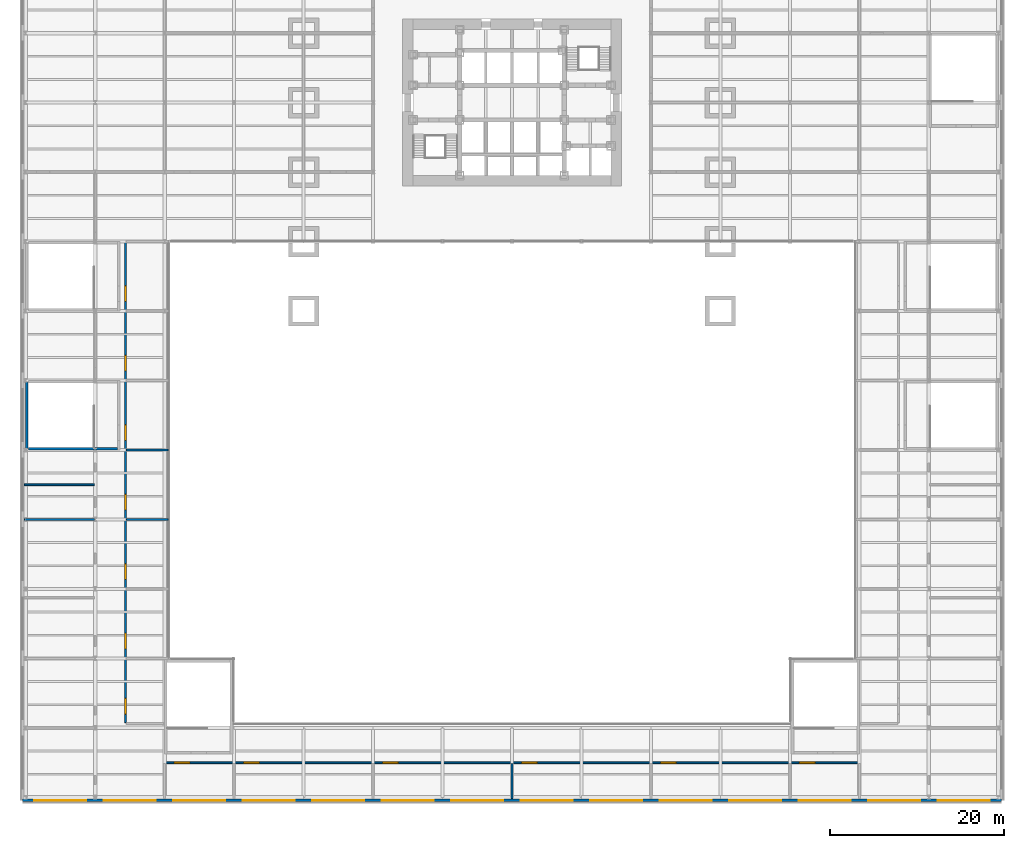
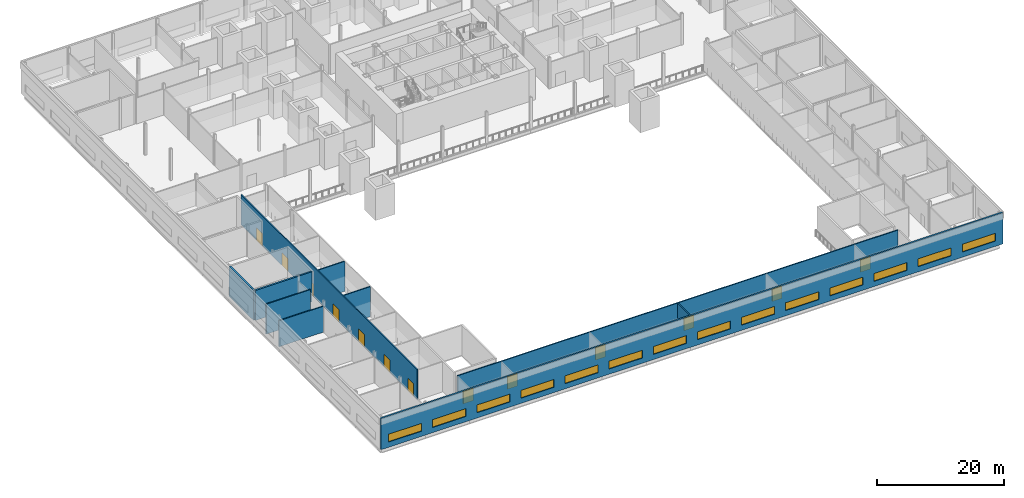
# One storey, part 11 of 21: 14 windows, 13 doors, 10 walls, 27 openings.
"""IFC4 building model written with IfcOpenShell, lengths in metres."""

import ifcopenshell
import ifcopenshell.guid

model = None  # the IFC model being written
_history = None  # IfcOwnerHistory: only IFC2X3 demands one
_inside = {}  # id of a spatial element -> (the spatial element, [elements in it])
_under = {}  # id of a project, library or spatial element -> (it, [spatial elements below it])
_declared = {}  # id of a project -> (the project, [libraries it declares])
_typed = {}  # id of a type object -> (the type object, [elements of that type])
_made_of = {}  # id of a material, layer set ... -> (it, [elements and type objects made of it])


def new_model(schema):
    """Start an empty IFC model of exactly this schema.

    Asked for "IFC4X3", IfcOpenShell would pick the latest addendum, in which some entities
    have other attributes; the version numbers below select the first issue.
    IFC2X3 requires an IfcOwnerHistory on every rooted entity: one is made here for all.
    """
    global model, _history
    if schema == "IFC4X3":
        model = ifcopenshell.file(schema_version=(4, 3, 0, 0))
    else:
        model = ifcopenshell.file(schema=schema)
    _inside.clear()
    _under.clear()
    _declared.clear()
    _typed.clear()
    _made_of.clear()
    _history = None
    if model.schema == "IFC2X3":
        org = make("IfcOrganization", Name="unknown")
        user = make(
            "IfcPersonAndOrganization",
            ThePerson=make("IfcPerson", FamilyName="unknown"),
            TheOrganization=org,
        )
        app = make(
            "IfcApplication",
            ApplicationDeveloper=org,
            Version="unknown",
            ApplicationFullName="unknown",
            ApplicationIdentifier="unknown",
        )
        _history = make(
            "IfcOwnerHistory",
            OwningUser=user,
            OwningApplication=app,
            ChangeAction="ADDED",
            CreationDate=0,
        )
    return model


def make(cls, **values):
    """One entity of the class cls with the attributes given. An attribute that is None is left unset."""
    return model.create_entity(
        cls, **{name: value for name, value in values.items() if value is not None}
    )


def rooted(cls, **values):
    """An entity with a GlobalId (a new one), such as an element, a storey or a relation."""
    return make(cls, GlobalId=ifcopenshell.guid.new(), OwnerHistory=_history, **values)


def si_unit(unit_type, name, prefix=None):
    """IfcSIUnit, for example si_unit("LENGTHUNIT", "METRE", prefix="MILLI")."""
    return make("IfcSIUnit", UnitType=unit_type, Prefix=prefix, Name=name)


def assignment(units):
    """IfcUnitAssignment: the units of a project."""
    return None if units is None else make("IfcUnitAssignment", Units=units)


def point(xyz):
    """IfcCartesianPoint."""
    return None if xyz is None else make("IfcCartesianPoint", Coordinates=xyz)


def direction(xyz):
    """IfcDirection."""
    return None if xyz is None else make("IfcDirection", DirectionRatios=xyz)


def frame(location, z_axis=None, x_axis=None):
    """IfcAxis2Placement3D, a coordinate frame: its origin and axes. An axis left out is left unset."""
    return make(
        "IfcAxis2Placement3D",
        Location=point(location),
        Axis=direction(z_axis),
        RefDirection=direction(x_axis),
    )


def frame_2d(location, x_axis=None):
    """IfcAxis2Placement2D, a coordinate frame in the plane: its origin and x axis."""
    return make(
        "IfcAxis2Placement2D", Location=point(location), RefDirection=direction(x_axis)
    )


def origin():
    """The frame at (0, 0, 0) with its axes left unset."""
    return frame((0.0, 0.0, 0.0))


def place(relative_to, where):
    """IfcLocalPlacement: puts the frame where relative to a parent placement (None: the world)."""
    return make(
        "IfcLocalPlacement", PlacementRelTo=relative_to, RelativePlacement=where
    )


def context(
    kind, dimensions, precision=None, world=None, true_north=None, identifier=None
):
    """IfcGeometricRepresentationContext, for example the 3D "Model" context."""
    return make(
        "IfcGeometricRepresentationContext",
        ContextIdentifier=identifier,
        ContextType=kind,
        CoordinateSpaceDimension=dimensions,
        Precision=precision,
        WorldCoordinateSystem=world,
        TrueNorth=true_north,
    )


def subcontext(parent, identifier, kind, view, scale=None):
    """IfcGeometricRepresentationSubContext, for example "Body" below "Model"."""
    return make(
        "IfcGeometricRepresentationSubContext",
        ContextIdentifier=identifier,
        ContextType=kind,
        ParentContext=parent,
        TargetScale=scale,
        TargetView=view,
    )


def project(units=None, contexts=None):
    """IfcProject with its units and contexts."""
    return rooted(
        "IfcProject",
        Name="project",
        RepresentationContexts=contexts,
        UnitsInContext=assignment(units),
    )


def spatial(cls, under=None, at=None, **own):
    """A site, building, storey or space (cls), placed at a placement, below another one or the project."""
    s = rooted(cls, ObjectPlacement=at, **own)
    if under is not None:
        _under.setdefault(under.id(), (under, []))[1].append(s)
    return s


def profile(cls, at=None, kind="AREA", **sizes):
    """A parametric profile (cls). Its sizes go by their IFC names, for example OverallWidth=200.0."""
    return make(cls, ProfileType=kind, Position=at, **sizes)


def rectangle(**sizes):
    """IfcRectangleProfileDef."""
    return profile("IfcRectangleProfileDef", **sizes)


def extrude(swept, where, along, depth):
    """IfcExtrudedAreaSolid: the profile swept, set in the frame where, extruded along a direction by depth."""
    return make(
        "IfcExtrudedAreaSolid",
        SweptArea=swept,
        Position=where,
        ExtrudedDirection=direction(along),
        Depth=depth,
    )


def shape(context_of_items, identifier, shape_type, items):
    """IfcShapeRepresentation: the items that make up one representation, for example the "Body"."""
    return make(
        "IfcShapeRepresentation",
        ContextOfItems=context_of_items,
        RepresentationIdentifier=identifier,
        RepresentationType=shape_type,
        Items=items,
    )


def material(Name=None, Category=None):
    """IfcMaterial."""
    return make("IfcMaterial", Name=Name, Category=Category)


def layer(
    of_material, thickness, ventilated=None, Name=None, Category=None, Priority=None
):
    """IfcMaterialLayer: one layer of a wall or slab, of a material (None: an air gap)."""
    return make(
        "IfcMaterialLayer",
        Material=of_material,
        LayerThickness=thickness,
        IsVentilated=ventilated,
        Name=Name,
        Category=Category,
        Priority=Priority,
    )


def layer_set(layers, Name=None):
    """IfcMaterialLayerSet."""
    return make("IfcMaterialLayerSet", MaterialLayers=layers, LayerSetName=Name)


def made_of(thing, what):
    """Note that an element or type object is made of a material, layer set ...; save() writes the relation."""
    if what is not None:
        _made_of.setdefault(what.id(), (what, []))[1].append(thing)
    return thing


def type_object(cls, material=None, **own):
    """A type object (cls), such as IfcWallType, which elements share."""
    return made_of(rooted(cls, **own), material)


def element(
    cls,
    number,
    at=None,
    inside=None,
    cuts=None,
    type_object=None,
    material=None,
    context=None,
    identifier="Body",
    shape_type=None,
    held_by="IfcProductDefinitionShape",
    body=None,
    shapes=None,
    **own,
):
    """One element of the class cls, such as IfcWall. Its Tag is "e" and its number.

    at: its placement. inside: the storey or other place that contains it. cuts: it is an
    opening in that element (IfcRelVoidsElement). A single representation is given by context,
    identifier, shape_type and body (its items); several are given by shapes. held_by: the class
    of the entity that holds the representations. save() writes the other relations.
    """
    e = rooted(cls, Tag="e%d" % number, ObjectPlacement=at, **own)
    if body is not None:
        shapes = [shape(context, identifier, shape_type, body)]
    if shapes is not None:
        e.Representation = make(held_by, Representations=shapes)
    if inside is not None:
        _inside.setdefault(inside.id(), (inside, []))[1].append(e)
    if cuts is not None:
        rooted(
            "IfcRelVoidsElement", RelatingBuildingElement=cuts, RelatedOpeningElement=e
        )
    if type_object is not None:
        _typed.setdefault(type_object.id(), (type_object, []))[1].append(e)
    return made_of(e, material)


def fill(opening, filler):
    """IfcRelFillsElement: the door or window that sits in an opening."""
    return rooted(
        "IfcRelFillsElement",
        RelatingOpeningElement=opening,
        RelatedBuildingElement=filler,
    )


def aggregate(whole, parts):
    """IfcRelAggregates: a whole, such as a stair, and the parts it consists of."""
    return rooted("IfcRelAggregates", RelatingObject=whole, RelatedObjects=parts)


def save(model, path):
    """Write the relations noted so far, then the file.

    IfcRelAggregates (storeys below a building ...), IfcRelContainedInSpatialStructure (elements
    in a storey), IfcRelDefinesByType, IfcRelAssociatesMaterial and IfcRelDeclares: one each for
    every whole, place, type object, material and project.
    """
    for whole, parts in _under.values():
        aggregate(whole, parts)
    for where, things in _inside.values():
        rooted(
            "IfcRelContainedInSpatialStructure",
            RelatedElements=things,
            RelatingStructure=where,
        )
    for kind, things in _typed.values():
        rooted("IfcRelDefinesByType", RelatedObjects=things, RelatingType=kind)
    for what, things in _made_of.values():
        rooted("IfcRelAssociatesMaterial", RelatedObjects=things, RelatingMaterial=what)
    for by, libraries in _declared.values():
        rooted("IfcRelDeclares", RelatingContext=by, RelatedDefinitions=libraries)
    model.write(path)


model = new_model("IFC4")

# Units and contexts
model_context = context("Model", 3, precision=1e-05, world=origin(), true_north=direction((0.0, 1.0)))
body_context = subcontext(model_context, "Body", "Model", "MODEL_VIEW")
ifc_project = project(units=[si_unit("LENGTHUNIT", "METRE"), si_unit("AREAUNIT", "SQUARE_METRE"), si_unit("VOLUMEUNIT", "CUBIC_METRE"), si_unit("PLANEANGLEUNIT", "RADIAN"), si_unit("MASSUNIT", "GRAM", prefix="KILO")], contexts=[model_context])

# Site, building, storey
site_placement = place(None, origin())
site = spatial("IfcSite", under=ifc_project, at=site_placement, CompositionType="ELEMENT")
building_placement = place(site_placement, origin())
building = spatial("IfcBuilding", under=site, at=building_placement, Name="Daluyong Arena Tower", CompositionType="ELEMENT")
storey_placement = place(building_placement, frame((0.0, 0.0, 19.89990234375)))
storey = spatial("IfcBuildingStorey", under=building, at=storey_placement, Name="L04", CompositionType="ELEMENT", Elevation=19.89990234375)

# Wall, openings, doors
ifc_material_1 = material(Name="Concrete block partition", Category="concrete")
ifc_layer_1 = layer(ifc_material_1, 0.199951171875)
ifc_layer_set_1 = layer_set([ifc_layer_1], Name="Concrete block partition")
wall_type_1 = type_object("IfcWallType", Name="Partition 200", PredefinedType="PARTITIONING", material=ifc_layer_set_1)
wall_1_placement = place(storey_placement, frame((16.10009765625, 4.0, 0.0), z_axis=(0.0, 0.0, 1.0), x_axis=(1.0, 0.0, 0.0)))
wall_1 = element("IfcWall", 1, at=wall_1_placement, inside=storey, type_object=wall_type_1, Name="partition at L04", PredefinedType="PARTITIONING", context=body_context, shape_type="SweptSolid", body=[
    extrude(rectangle(XDim=79.7998046875, YDim=0.199951171875, at=frame_2d((39.89990234375, 0.0))), origin(), (0.0, 0.0, 1.0), 5.75),
])
opening_1_placement = place(wall_1_placement, frame((1.0, 0.0, 0.0)))
opening_1 = element("IfcOpeningElement", 2, at=opening_1_placement, cuts=wall_1, Name="Opening 04037", PredefinedType="OPENING", context=body_context, shape_type="SweptSolid", body=[
    extrude(rectangle(XDim=1.800048828125, YDim=2.39990234375, at=frame_2d((0.89990234375, 1.199951171875))), frame((0.0, 0.10986328125, 0.0), z_axis=(0.0, -1.0, 0.0), x_axis=(1.0, 0.0, 0.0)), (0.0, 0.0, 1.0), 0.219970703125),
])
opening_2_placement = place(wall_1_placement, frame((73.0, 0.0, 0.0)))
opening_2 = element("IfcOpeningElement", 3, at=opening_2_placement, cuts=wall_1, Name="Opening 04038", PredefinedType="OPENING", context=body_context, shape_type="SweptSolid", body=[
    extrude(rectangle(XDim=1.800048828125, YDim=2.39990234375, at=frame_2d((0.89990234375, 1.199951171875))), frame((0.0, 0.10986328125, 0.0), z_axis=(0.0, -1.0, 0.0), x_axis=(1.0, 0.0, 0.0)), (0.0, 0.0, 1.0), 0.219970703125),
])
opening_3_placement = place(wall_1_placement, frame((9.0, 0.0, 0.0)))
opening_3 = element("IfcOpeningElement", 4, at=opening_3_placement, cuts=wall_1, Name="Opening 04057", PredefinedType="OPENING", context=body_context, shape_type="SweptSolid", body=[
    extrude(rectangle(XDim=1.800048828125, YDim=2.39990234375, at=frame_2d((0.89990234375, 1.199951171875))), frame((0.0, 0.10986328125, 0.0), z_axis=(0.0, -1.0, 0.0), x_axis=(1.0, 0.0, 0.0)), (0.0, 0.0, 1.0), 0.219970703125),
])
opening_4_placement = place(wall_1_placement, frame((25.0, 0.0, 0.0)))
opening_4 = element("IfcOpeningElement", 5, at=opening_4_placement, cuts=wall_1, Name="Opening 04058", PredefinedType="OPENING", context=body_context, shape_type="SweptSolid", body=[
    extrude(rectangle(XDim=1.800048828125, YDim=2.39990234375, at=frame_2d((0.89990234375, 1.199951171875))), frame((0.0, 0.10986328125, 0.0), z_axis=(0.0, -1.0, 0.0), x_axis=(1.0, 0.0, 0.0)), (0.0, 0.0, 1.0), 0.219970703125),
])
opening_5_placement = place(wall_1_placement, frame((41.0, 0.0, 0.0)))
opening_5 = element("IfcOpeningElement", 6, at=opening_5_placement, cuts=wall_1, Name="Opening 04059", PredefinedType="OPENING", context=body_context, shape_type="SweptSolid", body=[
    extrude(rectangle(XDim=1.800048828125, YDim=2.39990234375, at=frame_2d((0.89990234375, 1.199951171875))), frame((0.0, 0.10986328125, 0.0), z_axis=(0.0, -1.0, 0.0), x_axis=(1.0, 0.0, 0.0)), (0.0, 0.0, 1.0), 0.219970703125),
])
opening_6_placement = place(wall_1_placement, frame((57.0, 0.0, 0.0)))
opening_6 = element("IfcOpeningElement", 7, at=opening_6_placement, cuts=wall_1, Name="Opening 04060", PredefinedType="OPENING", context=body_context, shape_type="SweptSolid", body=[
    extrude(rectangle(XDim=1.800048828125, YDim=2.39990234375, at=frame_2d((0.89990234375, 1.199951171875))), frame((0.0, 0.10986328125, 0.0), z_axis=(0.0, -1.0, 0.0), x_axis=(1.0, 0.0, 0.0)), (0.0, 0.0, 1.0), 0.219970703125),
])
ifc_material_2 = material(Name="Timber door", Category="wood")
door_type = type_object("IfcDoorType", Name="Assembly double door 1800", OperationType="DOUBLE_DOOR_DOUBLE_SWING", PredefinedType="DOOR", material=ifc_material_2)
door_1_placement = place(opening_1_placement, origin())
door_1 = element("IfcDoor", 8, at=door_1_placement, inside=storey, type_object=door_type, Name="party suite door 04037", OperationType="DOUBLE_DOOR_DOUBLE_SWING", OverallHeight=2.39990234375, OverallWidth=1.800048828125, PredefinedType="DOOR", context=body_context, shape_type="SweptSolid", body=[
    extrude(rectangle(XDim=1.800048828125, YDim=2.39990234375, at=frame_2d((0.89990234375, 1.199951171875))), frame((0.0, 0.099609375, 0.0), z_axis=(0.0, -1.0, 0.0), x_axis=(1.0, 0.0, 0.0)), (0.0, 0.0, 1.0), 0.199462890625),
])
fill(opening_1, door_1)
door_2_placement = place(opening_2_placement, origin())
door_2 = element("IfcDoor", 9, at=door_2_placement, inside=storey, type_object=door_type, Name="party suite door 04038", OperationType="DOUBLE_DOOR_DOUBLE_SWING", OverallHeight=2.39990234375, OverallWidth=1.800048828125, PredefinedType="DOOR", context=body_context, shape_type="SweptSolid", body=[
    extrude(rectangle(XDim=1.800048828125, YDim=2.39990234375, at=frame_2d((0.89990234375, 1.199951171875))), frame((0.0, 0.099609375, 0.0), z_axis=(0.0, -1.0, 0.0), x_axis=(1.0, 0.0, 0.0)), (0.0, 0.0, 1.0), 0.199462890625),
])
fill(opening_2, door_2)
door_3_placement = place(opening_3_placement, origin())
door_3 = element("IfcDoor", 10, at=door_3_placement, inside=storey, type_object=door_type, Name="club lounge door 04057", OperationType="DOUBLE_DOOR_DOUBLE_SWING", OverallHeight=2.39990234375, OverallWidth=1.800048828125, PredefinedType="DOOR", context=body_context, shape_type="SweptSolid", body=[
    extrude(rectangle(XDim=1.800048828125, YDim=2.39990234375, at=frame_2d((0.89990234375, 1.199951171875))), frame((0.0, 0.099609375, 0.0), z_axis=(0.0, -1.0, 0.0), x_axis=(1.0, 0.0, 0.0)), (0.0, 0.0, 1.0), 0.199462890625),
])
fill(opening_3, door_3)
door_4_placement = place(opening_4_placement, origin())
door_4 = element("IfcDoor", 11, at=door_4_placement, inside=storey, type_object=door_type, Name="party suite door 04058", OperationType="DOUBLE_DOOR_DOUBLE_SWING", OverallHeight=2.39990234375, OverallWidth=1.800048828125, PredefinedType="DOOR", context=body_context, shape_type="SweptSolid", body=[
    extrude(rectangle(XDim=1.800048828125, YDim=2.39990234375, at=frame_2d((0.89990234375, 1.199951171875))), frame((0.0, 0.099609375, 0.0), z_axis=(0.0, -1.0, 0.0), x_axis=(1.0, 0.0, 0.0)), (0.0, 0.0, 1.0), 0.199462890625),
])
fill(opening_4, door_4)
door_5_placement = place(opening_5_placement, origin())
door_5 = element("IfcDoor", 12, at=door_5_placement, inside=storey, type_object=door_type, Name="party suite door 04059", OperationType="DOUBLE_DOOR_DOUBLE_SWING", OverallHeight=2.39990234375, OverallWidth=1.800048828125, PredefinedType="DOOR", context=body_context, shape_type="SweptSolid", body=[
    extrude(rectangle(XDim=1.800048828125, YDim=2.39990234375, at=frame_2d((0.89990234375, 1.199951171875))), frame((0.0, 0.099609375, 0.0), z_axis=(0.0, -1.0, 0.0), x_axis=(1.0, 0.0, 0.0)), (0.0, 0.0, 1.0), 0.199462890625),
])
fill(opening_5, door_5)
door_6_placement = place(opening_6_placement, origin())
door_6 = element("IfcDoor", 13, at=door_6_placement, inside=storey, type_object=door_type, Name="club lounge door 04060", OperationType="DOUBLE_DOOR_DOUBLE_SWING", OverallHeight=2.39990234375, OverallWidth=1.800048828125, PredefinedType="DOOR", context=body_context, shape_type="SweptSolid", body=[
    extrude(rectangle(XDim=1.800048828125, YDim=2.39990234375, at=frame_2d((0.89990234375, 1.199951171875))), frame((0.0, 0.099609375, 0.0), z_axis=(0.0, -1.0, 0.0), x_axis=(1.0, 0.0, 0.0)), (0.0, 0.0, 1.0), 0.199462890625),
])
fill(opening_6, door_6)

# Walls
wall_2_placement = place(storey_placement, frame((-0.14990234375, 32.0, 0.0), z_axis=(0.0, 0.0, 1.0), x_axis=(1.0, 0.0, 0.0)))
element("IfcWall", 14, at=wall_2_placement, inside=storey, type_object=wall_type_1, Name="partition at L04", PredefinedType="PARTITIONING", context=body_context, shape_type="SweptSolid", body=[
    extrude(rectangle(XDim=8.0498046875, YDim=0.199951171875, at=frame_2d((4.02490234375, 0.0))), origin(), (0.0, 0.0, 1.0), 4.977783203125),
])
wall_3_placement = place(storey_placement, frame((11.60009765625, 32.0, 0.0), z_axis=(0.0, 0.0, 1.0), x_axis=(1.0, 0.0, 0.0)))
element("IfcWall", 15, at=wall_3_placement, inside=storey, type_object=wall_type_1, Name="partition at L04", PredefinedType="PARTITIONING", context=body_context, shape_type="SweptSolid", body=[
    extrude(rectangle(XDim=4.7998046875, YDim=0.199951171875, at=frame_2d((2.39990234375, 0.0))), origin(), (0.0, 0.0, 1.0), 5.75),
])
wall_4_placement = place(storey_placement, frame((-0.14990234375, 36.0, 0.0), z_axis=(0.0, 0.0, 1.0), x_axis=(1.0, 0.0, 0.0)))
element("IfcWall", 16, at=wall_4_placement, inside=storey, type_object=wall_type_1, Name="partition at L04", PredefinedType="PARTITIONING", context=body_context, shape_type="SweptSolid", body=[
    extrude(rectangle(XDim=8.0498046875, YDim=0.199951171875, at=frame_2d((4.02490234375, 0.0))), origin(), (0.0, 0.0, 1.0), 5.75),
])
wall_5_placement = place(storey_placement, frame((11.60009765625, 40.0, 0.0), z_axis=(0.0, 0.0, 1.0), x_axis=(1.0, 0.0, 0.0)))
element("IfcWall", 17, at=wall_5_placement, inside=storey, type_object=wall_type_1, Name="partition at L04", PredefinedType="PARTITIONING", context=body_context, shape_type="SweptSolid", body=[
    extrude(rectangle(XDim=4.7998046875, YDim=0.199951171875, at=frame_2d((2.39990234375, 0.0))), origin(), (0.0, 0.0, 1.0), 5.75),
])

# Wall, openings, doors
wall_6_placement = place(storey_placement, frame((11.5, 8.60009765625, 0.0), z_axis=(0.0, 0.0, 1.0), x_axis=(0.0, 1.0, 0.0)))
wall_6 = element("IfcWall", 18, at=wall_6_placement, inside=storey, type_object=wall_type_1, Name="partition at L04", PredefinedType="PARTITIONING", context=body_context, shape_type="SweptSolid", body=[
    extrude(rectangle(XDim=55.2998046875, YDim=0.199951171875, at=frame_2d((27.64990234375, 0.0))), origin(), (0.0, 0.0, 1.0), 5.75),
])
opening_7_placement = place(wall_6_placement, frame((1.0, 0.0, 0.0)))
opening_7 = element("IfcOpeningElement", 19, at=opening_7_placement, cuts=wall_6, Name="Opening 04043", PredefinedType="OPENING", context=body_context, shape_type="SweptSolid", body=[
    extrude(rectangle(XDim=1.800048828125, YDim=2.39990234375, at=frame_2d((0.89990234375, 1.199951171875))), frame((0.0, 0.10986328125, 0.0), z_axis=(0.0, -1.0, 0.0), x_axis=(1.0, 0.0, 0.0)), (0.0, 0.0, 1.0), 0.219970703125),
])
opening_8_placement = place(wall_6_placement, frame((8.5, 0.0, 0.0)))
opening_8 = element("IfcOpeningElement", 20, at=opening_8_placement, cuts=wall_6, Name="Opening 04045", PredefinedType="OPENING", context=body_context, shape_type="SweptSolid", body=[
    extrude(rectangle(XDim=1.800048828125, YDim=2.39990234375, at=frame_2d((0.89990234375, 1.199951171875))), frame((0.0, 0.10986328125, 0.0), z_axis=(0.0, -1.0, 0.0), x_axis=(1.0, 0.0, 0.0)), (0.0, 0.0, 1.0), 0.219970703125),
])
opening_9_placement = place(wall_6_placement, frame((16.5, 0.0, 0.0)))
opening_9 = element("IfcOpeningElement", 21, at=opening_9_placement, cuts=wall_6, Name="Opening 04046", PredefinedType="OPENING", context=body_context, shape_type="SweptSolid", body=[
    extrude(rectangle(XDim=1.800048828125, YDim=2.39990234375, at=frame_2d((0.89990234375, 1.199951171875))), frame((0.0, 0.10986328125, 0.0), z_axis=(0.0, -1.0, 0.0), x_axis=(1.0, 0.0, 0.0)), (0.0, 0.0, 1.0), 0.219970703125),
])
opening_10_placement = place(wall_6_placement, frame((24.5, 0.0, 0.0)))
opening_10 = element("IfcOpeningElement", 22, at=opening_10_placement, cuts=wall_6, Name="Opening 04047", PredefinedType="OPENING", context=body_context, shape_type="SweptSolid", body=[
    extrude(rectangle(XDim=1.800048828125, YDim=2.39990234375, at=frame_2d((0.89990234375, 1.199951171875))), frame((0.0, 0.10986328125, 0.0), z_axis=(0.0, -1.0, 0.0), x_axis=(1.0, 0.0, 0.0)), (0.0, 0.0, 1.0), 0.219970703125),
])
opening_11_placement = place(wall_6_placement, frame((32.5, 0.0, 0.0)))
opening_11 = element("IfcOpeningElement", 23, at=opening_11_placement, cuts=wall_6, Name="Opening 04048", PredefinedType="OPENING", context=body_context, shape_type="SweptSolid", body=[
    extrude(rectangle(XDim=1.800048828125, YDim=2.39990234375, at=frame_2d((0.89990234375, 1.199951171875))), frame((0.0, 0.10986328125, 0.0), z_axis=(0.0, -1.0, 0.0), x_axis=(1.0, 0.0, 0.0)), (0.0, 0.0, 1.0), 0.219970703125),
])
opening_12_placement = place(wall_6_placement, frame((40.5, 0.0, 0.0)))
opening_12 = element("IfcOpeningElement", 24, at=opening_12_placement, cuts=wall_6, Name="Opening 04049", PredefinedType="OPENING", context=body_context, shape_type="SweptSolid", body=[
    extrude(rectangle(XDim=1.800048828125, YDim=2.39990234375, at=frame_2d((0.89990234375, 1.199951171875))), frame((0.0, 0.10986328125, 0.0), z_axis=(0.0, -1.0, 0.0), x_axis=(1.0, 0.0, 0.0)), (0.0, 0.0, 1.0), 0.219970703125),
])
opening_13_placement = place(wall_6_placement, frame((48.5, 0.0, 0.0)))
opening_13 = element("IfcOpeningElement", 25, at=opening_13_placement, cuts=wall_6, Name="Opening 04050", PredefinedType="OPENING", context=body_context, shape_type="SweptSolid", body=[
    extrude(rectangle(XDim=1.800048828125, YDim=2.39990234375, at=frame_2d((0.89990234375, 1.199951171875))), frame((0.0, 0.10986328125, 0.0), z_axis=(0.0, -1.0, 0.0), x_axis=(1.0, 0.0, 0.0)), (0.0, 0.0, 1.0), 0.219970703125),
])
door_7_placement = place(opening_7_placement, origin())
door_7 = element("IfcDoor", 26, at=door_7_placement, inside=storey, type_object=door_type, Name="party suite door 04043", OperationType="DOUBLE_DOOR_DOUBLE_SWING", OverallHeight=2.39990234375, OverallWidth=1.800048828125, PredefinedType="DOOR", context=body_context, shape_type="SweptSolid", body=[
    extrude(rectangle(XDim=1.800048828125, YDim=2.39990234375, at=frame_2d((0.89990234375, 1.199951171875))), frame((0.0, 0.099609375, 0.0), z_axis=(0.0, -1.0, 0.0), x_axis=(1.0, 0.0, 0.0)), (0.0, 0.0, 1.0), 0.199462890625),
])
fill(opening_7, door_7)
door_8_placement = place(opening_8_placement, origin())
door_8 = element("IfcDoor", 27, at=door_8_placement, inside=storey, type_object=door_type, Name="party suite door 04045", OperationType="DOUBLE_DOOR_DOUBLE_SWING", OverallHeight=2.39990234375, OverallWidth=1.800048828125, PredefinedType="DOOR", context=body_context, shape_type="SweptSolid", body=[
    extrude(rectangle(XDim=1.800048828125, YDim=2.39990234375, at=frame_2d((0.89990234375, 1.199951171875))), frame((0.0, 0.099609375, 0.0), z_axis=(0.0, -1.0, 0.0), x_axis=(1.0, 0.0, 0.0)), (0.0, 0.0, 1.0), 0.199462890625),
])
fill(opening_8, door_8)
door_9_placement = place(opening_9_placement, origin())
door_9 = element("IfcDoor", 28, at=door_9_placement, inside=storey, type_object=door_type, Name="party suite door 04046", OperationType="DOUBLE_DOOR_DOUBLE_SWING", OverallHeight=2.39990234375, OverallWidth=1.800048828125, PredefinedType="DOOR", context=body_context, shape_type="SweptSolid", body=[
    extrude(rectangle(XDim=1.800048828125, YDim=2.39990234375, at=frame_2d((0.89990234375, 1.199951171875))), frame((0.0, 0.099609375, 0.0), z_axis=(0.0, -1.0, 0.0), x_axis=(1.0, 0.0, 0.0)), (0.0, 0.0, 1.0), 0.199462890625),
])
fill(opening_9, door_9)
door_10_placement = place(opening_10_placement, origin())
door_10 = element("IfcDoor", 29, at=door_10_placement, inside=storey, type_object=door_type, Name="party suite door 04047", OperationType="DOUBLE_DOOR_DOUBLE_SWING", OverallHeight=2.39990234375, OverallWidth=1.800048828125, PredefinedType="DOOR", context=body_context, shape_type="SweptSolid", body=[
    extrude(rectangle(XDim=1.800048828125, YDim=2.39990234375, at=frame_2d((0.89990234375, 1.199951171875))), frame((0.0, 0.099609375, 0.0), z_axis=(0.0, -1.0, 0.0), x_axis=(1.0, 0.0, 0.0)), (0.0, 0.0, 1.0), 0.199462890625),
])
fill(opening_10, door_10)
door_11_placement = place(opening_11_placement, origin())
door_11 = element("IfcDoor", 30, at=door_11_placement, inside=storey, type_object=door_type, Name="party suite door 04048", OperationType="DOUBLE_DOOR_DOUBLE_SWING", OverallHeight=2.39990234375, OverallWidth=1.800048828125, PredefinedType="DOOR", context=body_context, shape_type="SweptSolid", body=[
    extrude(rectangle(XDim=1.800048828125, YDim=2.39990234375, at=frame_2d((0.89990234375, 1.199951171875))), frame((0.0, 0.099609375, 0.0), z_axis=(0.0, -1.0, 0.0), x_axis=(1.0, 0.0, 0.0)), (0.0, 0.0, 1.0), 0.199462890625),
])
fill(opening_11, door_11)
door_12_placement = place(opening_12_placement, origin())
door_12 = element("IfcDoor", 31, at=door_12_placement, inside=storey, type_object=door_type, Name="party suite door 04049", OperationType="DOUBLE_DOOR_DOUBLE_SWING", OverallHeight=2.39990234375, OverallWidth=1.800048828125, PredefinedType="DOOR", context=body_context, shape_type="SweptSolid", body=[
    extrude(rectangle(XDim=1.800048828125, YDim=2.39990234375, at=frame_2d((0.89990234375, 1.199951171875))), frame((0.0, 0.099609375, 0.0), z_axis=(0.0, -1.0, 0.0), x_axis=(1.0, 0.0, 0.0)), (0.0, 0.0, 1.0), 0.199462890625),
])
fill(opening_12, door_12)
door_13_placement = place(opening_13_placement, origin())
door_13 = element("IfcDoor", 32, at=door_13_placement, inside=storey, type_object=door_type, Name="party suite door 04050", OperationType="DOUBLE_DOOR_DOUBLE_SWING", OverallHeight=2.39990234375, OverallWidth=1.800048828125, PredefinedType="DOOR", context=body_context, shape_type="SweptSolid", body=[
    extrude(rectangle(XDim=1.800048828125, YDim=2.39990234375, at=frame_2d((0.89990234375, 1.199951171875))), frame((0.0, 0.099609375, 0.0), z_axis=(0.0, -1.0, 0.0), x_axis=(1.0, 0.0, 0.0)), (0.0, 0.0, 1.0), 0.199462890625),
])
fill(opening_13, door_13)

# Wall
wall_7_placement = place(storey_placement, frame((56.0, -0.14990234375, 0.0), z_axis=(0.0, 0.0, 1.0), x_axis=(0.0, 1.0, 0.0)))
element("IfcWall", 33, at=wall_7_placement, inside=storey, type_object=wall_type_1, Name="partition at L04", PredefinedType="PARTITIONING", context=body_context, shape_type="SweptSolid", body=[
    extrude(rectangle(XDim=4.0498046875, YDim=0.199951171875, at=frame_2d((2.02490234375, 0.0))), origin(), (0.0, 0.0, 1.0), 5.75),
])

# Wall, openings, windows
ifc_material_3 = material(Name="Precast concrete fc' 45 MPa", Category="concrete")
ifc_layer_2 = layer(ifc_material_3, 0.300048828125)
ifc_layer_set_2 = layer_set([ifc_layer_2], Name="Precast concrete fc' 45 MPa")
wall_type_2 = type_object("IfcWallType", Name="Podium precast band wall 300", PredefinedType="SOLIDWALL", material=ifc_layer_set_2)
wall_8_placement = place(storey_placement, frame((-0.35009765625, -0.35009765625, 0.0), z_axis=(0.0, 0.0, 1.0), x_axis=(1.0, 0.0, 0.0)))
wall_8 = element("IfcWall", 34, at=wall_8_placement, inside=storey, type_object=wall_type_2, Name="podium wall S L04", PredefinedType="SOLIDWALL", context=body_context, shape_type="SweptSolid", body=[
    extrude(rectangle(XDim=112.7001953125, YDim=0.300048828125, at=frame_2d((56.35009765625, 0.0))), origin(), (0.0, 0.0, 1.0), 6.0),
])
opening_14_placement = place(wall_8_placement, frame((1.35009765625, 0.0, 1.0)))
opening_14 = element("IfcOpeningElement", 35, at=opening_14_placement, cuts=wall_8, Name="Opening W1", PredefinedType="OPENING", context=body_context, shape_type="SweptSolid", body=[
    extrude(rectangle(XDim=6.0, YDim=1.5, at=frame_2d((3.0, 0.75))), frame((0.0, 0.159912109375, 0.0), z_axis=(0.0, -1.0, 0.0), x_axis=(1.0, 0.0, 0.0)), (0.0, 0.0, 1.0), 0.320068359375),
])
opening_15_placement = place(wall_8_placement, frame((9.35009765625, 0.0, 1.0)))
opening_15 = element("IfcOpeningElement", 36, at=opening_15_placement, cuts=wall_8, Name="Opening W1", PredefinedType="OPENING", context=body_context, shape_type="SweptSolid", body=[
    extrude(rectangle(XDim=6.0, YDim=1.5, at=frame_2d((3.0, 0.75))), frame((0.0, 0.159912109375, 0.0), z_axis=(0.0, -1.0, 0.0), x_axis=(1.0, 0.0, 0.0)), (0.0, 0.0, 1.0), 0.320068359375),
])
opening_16_placement = place(wall_8_placement, frame((17.35009765625, 0.0, 1.0)))
opening_16 = element("IfcOpeningElement", 37, at=opening_16_placement, cuts=wall_8, Name="Opening W1", PredefinedType="OPENING", context=body_context, shape_type="SweptSolid", body=[
    extrude(rectangle(XDim=6.0, YDim=1.5, at=frame_2d((3.0, 0.75))), frame((0.0, 0.159912109375, 0.0), z_axis=(0.0, -1.0, 0.0), x_axis=(1.0, 0.0, 0.0)), (0.0, 0.0, 1.0), 0.320068359375),
])
opening_17_placement = place(wall_8_placement, frame((25.35009765625, 0.0, 1.0)))
opening_17 = element("IfcOpeningElement", 38, at=opening_17_placement, cuts=wall_8, Name="Opening W1", PredefinedType="OPENING", context=body_context, shape_type="SweptSolid", body=[
    extrude(rectangle(XDim=6.0, YDim=1.5, at=frame_2d((3.0, 0.75))), frame((0.0, 0.159912109375, 0.0), z_axis=(0.0, -1.0, 0.0), x_axis=(1.0, 0.0, 0.0)), (0.0, 0.0, 1.0), 0.320068359375),
])
opening_18_placement = place(wall_8_placement, frame((33.35009765625, 0.0, 1.0)))
opening_18 = element("IfcOpeningElement", 39, at=opening_18_placement, cuts=wall_8, Name="Opening W1", PredefinedType="OPENING", context=body_context, shape_type="SweptSolid", body=[
    extrude(rectangle(XDim=6.0, YDim=1.5, at=frame_2d((3.0, 0.75))), frame((0.0, 0.159912109375, 0.0), z_axis=(0.0, -1.0, 0.0), x_axis=(1.0, 0.0, 0.0)), (0.0, 0.0, 1.0), 0.320068359375),
])
opening_19_placement = place(wall_8_placement, frame((41.35009765625, 0.0, 1.0)))
opening_19 = element("IfcOpeningElement", 40, at=opening_19_placement, cuts=wall_8, Name="Opening W1", PredefinedType="OPENING", context=body_context, shape_type="SweptSolid", body=[
    extrude(rectangle(XDim=6.0, YDim=1.5, at=frame_2d((3.0, 0.75))), frame((0.0, 0.159912109375, 0.0), z_axis=(0.0, -1.0, 0.0), x_axis=(1.0, 0.0, 0.0)), (0.0, 0.0, 1.0), 0.320068359375),
])
opening_20_placement = place(wall_8_placement, frame((49.35009765625, 0.0, 1.0)))
opening_20 = element("IfcOpeningElement", 41, at=opening_20_placement, cuts=wall_8, Name="Opening W1", PredefinedType="OPENING", context=body_context, shape_type="SweptSolid", body=[
    extrude(rectangle(XDim=6.0, YDim=1.5, at=frame_2d((3.0, 0.75))), frame((0.0, 0.159912109375, 0.0), z_axis=(0.0, -1.0, 0.0), x_axis=(1.0, 0.0, 0.0)), (0.0, 0.0, 1.0), 0.320068359375),
])
opening_21_placement = place(wall_8_placement, frame((57.35009765625, 0.0, 1.0)))
opening_21 = element("IfcOpeningElement", 42, at=opening_21_placement, cuts=wall_8, Name="Opening W1", PredefinedType="OPENING", context=body_context, shape_type="SweptSolid", body=[
    extrude(rectangle(XDim=6.0, YDim=1.5, at=frame_2d((3.0, 0.75))), frame((0.0, 0.159912109375, 0.0), z_axis=(0.0, -1.0, 0.0), x_axis=(1.0, 0.0, 0.0)), (0.0, 0.0, 1.0), 0.320068359375),
])
opening_22_placement = place(wall_8_placement, frame((65.35009765625, 0.0, 1.0)))
opening_22 = element("IfcOpeningElement", 43, at=opening_22_placement, cuts=wall_8, Name="Opening W1", PredefinedType="OPENING", context=body_context, shape_type="SweptSolid", body=[
    extrude(rectangle(XDim=6.0, YDim=1.5, at=frame_2d((3.0, 0.75))), frame((0.0, 0.159912109375, 0.0), z_axis=(0.0, -1.0, 0.0), x_axis=(1.0, 0.0, 0.0)), (0.0, 0.0, 1.0), 0.320068359375),
])
opening_23_placement = place(wall_8_placement, frame((73.35009765625, 0.0, 1.0)))
opening_23 = element("IfcOpeningElement", 44, at=opening_23_placement, cuts=wall_8, Name="Opening W1", PredefinedType="OPENING", context=body_context, shape_type="SweptSolid", body=[
    extrude(rectangle(XDim=6.0, YDim=1.5, at=frame_2d((3.0, 0.75))), frame((0.0, 0.159912109375, 0.0), z_axis=(0.0, -1.0, 0.0), x_axis=(1.0, 0.0, 0.0)), (0.0, 0.0, 1.0), 0.320068359375),
])
opening_24_placement = place(wall_8_placement, frame((81.35009765625, 0.0, 1.0)))
opening_24 = element("IfcOpeningElement", 45, at=opening_24_placement, cuts=wall_8, Name="Opening W1", PredefinedType="OPENING", context=body_context, shape_type="SweptSolid", body=[
    extrude(rectangle(XDim=6.0, YDim=1.5, at=frame_2d((3.0, 0.75))), frame((0.0, 0.159912109375, 0.0), z_axis=(0.0, -1.0, 0.0), x_axis=(1.0, 0.0, 0.0)), (0.0, 0.0, 1.0), 0.320068359375),
])
opening_25_placement = place(wall_8_placement, frame((89.35009765625, 0.0, 1.0)))
opening_25 = element("IfcOpeningElement", 46, at=opening_25_placement, cuts=wall_8, Name="Opening W1", PredefinedType="OPENING", context=body_context, shape_type="SweptSolid", body=[
    extrude(rectangle(XDim=6.0, YDim=1.5, at=frame_2d((3.0, 0.75))), frame((0.0, 0.159912109375, 0.0), z_axis=(0.0, -1.0, 0.0), x_axis=(1.0, 0.0, 0.0)), (0.0, 0.0, 1.0), 0.320068359375),
])
opening_26_placement = place(wall_8_placement, frame((97.35009765625, 0.0, 1.0)))
opening_26 = element("IfcOpeningElement", 47, at=opening_26_placement, cuts=wall_8, Name="Opening W1", PredefinedType="OPENING", context=body_context, shape_type="SweptSolid", body=[
    extrude(rectangle(XDim=6.0, YDim=1.5, at=frame_2d((3.0, 0.75))), frame((0.0, 0.159912109375, 0.0), z_axis=(0.0, -1.0, 0.0), x_axis=(1.0, 0.0, 0.0)), (0.0, 0.0, 1.0), 0.320068359375),
])
opening_27_placement = place(wall_8_placement, frame((105.35009765625, 0.0, 1.0)))
opening_27 = element("IfcOpeningElement", 48, at=opening_27_placement, cuts=wall_8, Name="Opening W1", PredefinedType="OPENING", context=body_context, shape_type="SweptSolid", body=[
    extrude(rectangle(XDim=6.0, YDim=1.5, at=frame_2d((3.0, 0.75))), frame((0.0, 0.159912109375, 0.0), z_axis=(0.0, -1.0, 0.0), x_axis=(1.0, 0.0, 0.0)), (0.0, 0.0, 1.0), 0.320068359375),
])
ifc_material_4 = material(Name="Bronze aluminium window, tinted glass", Category="aluminium")
window_type = type_object("IfcWindowType", Name="Ribbon window 6000x1500", PartitioningType="TRIPLE_PANEL_HORIZONTAL", PredefinedType="WINDOW", material=ifc_material_4)
window_1_placement = place(opening_14_placement, origin())
window_1 = element("IfcWindow", 49, at=window_1_placement, inside=storey, type_object=window_type, Name="ribbon window S", OverallHeight=1.5, OverallWidth=6.0, PartitioningType="SINGLE_PANEL", PredefinedType="WINDOW", context=body_context, shape_type="SweptSolid", body=[
    extrude(rectangle(XDim=6.0, YDim=1.5, at=frame_2d((3.0, 0.75))), frame((0.0, 0.030029296875, 0.0), z_axis=(0.0, -1.0, 0.0), x_axis=(1.0, 0.0, 0.0)), (0.0, 0.0, 1.0), 0.06005859375),
])
fill(opening_14, window_1)
window_2_placement = place(opening_15_placement, origin())
window_2 = element("IfcWindow", 50, at=window_2_placement, inside=storey, type_object=window_type, Name="ribbon window S", OverallHeight=1.5, OverallWidth=6.0, PartitioningType="SINGLE_PANEL", PredefinedType="WINDOW", context=body_context, shape_type="SweptSolid", body=[
    extrude(rectangle(XDim=6.0, YDim=1.5, at=frame_2d((3.0, 0.75))), frame((0.0, 0.030029296875, 0.0), z_axis=(0.0, -1.0, 0.0), x_axis=(1.0, 0.0, 0.0)), (0.0, 0.0, 1.0), 0.06005859375),
])
fill(opening_15, window_2)
window_3_placement = place(opening_16_placement, origin())
window_3 = element("IfcWindow", 51, at=window_3_placement, inside=storey, type_object=window_type, Name="ribbon window S", OverallHeight=1.5, OverallWidth=6.0, PartitioningType="SINGLE_PANEL", PredefinedType="WINDOW", context=body_context, shape_type="SweptSolid", body=[
    extrude(rectangle(XDim=6.0, YDim=1.5, at=frame_2d((3.0, 0.75))), frame((0.0, 0.030029296875, 0.0), z_axis=(0.0, -1.0, 0.0), x_axis=(1.0, 0.0, 0.0)), (0.0, 0.0, 1.0), 0.06005859375),
])
fill(opening_16, window_3)
window_4_placement = place(opening_17_placement, origin())
window_4 = element("IfcWindow", 52, at=window_4_placement, inside=storey, type_object=window_type, Name="ribbon window S", OverallHeight=1.5, OverallWidth=6.0, PartitioningType="SINGLE_PANEL", PredefinedType="WINDOW", context=body_context, shape_type="SweptSolid", body=[
    extrude(rectangle(XDim=6.0, YDim=1.5, at=frame_2d((3.0, 0.75))), frame((0.0, 0.030029296875, 0.0), z_axis=(0.0, -1.0, 0.0), x_axis=(1.0, 0.0, 0.0)), (0.0, 0.0, 1.0), 0.06005859375),
])
fill(opening_17, window_4)
window_5_placement = place(opening_18_placement, origin())
window_5 = element("IfcWindow", 53, at=window_5_placement, inside=storey, type_object=window_type, Name="ribbon window S", OverallHeight=1.5, OverallWidth=6.0, PartitioningType="SINGLE_PANEL", PredefinedType="WINDOW", context=body_context, shape_type="SweptSolid", body=[
    extrude(rectangle(XDim=6.0, YDim=1.5, at=frame_2d((3.0, 0.75))), frame((0.0, 0.030029296875, 0.0), z_axis=(0.0, -1.0, 0.0), x_axis=(1.0, 0.0, 0.0)), (0.0, 0.0, 1.0), 0.06005859375),
])
fill(opening_18, window_5)
window_6_placement = place(opening_19_placement, origin())
window_6 = element("IfcWindow", 54, at=window_6_placement, inside=storey, type_object=window_type, Name="ribbon window S", OverallHeight=1.5, OverallWidth=6.0, PartitioningType="SINGLE_PANEL", PredefinedType="WINDOW", context=body_context, shape_type="SweptSolid", body=[
    extrude(rectangle(XDim=6.0, YDim=1.5, at=frame_2d((3.0, 0.75))), frame((0.0, 0.030029296875, 0.0), z_axis=(0.0, -1.0, 0.0), x_axis=(1.0, 0.0, 0.0)), (0.0, 0.0, 1.0), 0.06005859375),
])
fill(opening_19, window_6)
window_7_placement = place(opening_20_placement, origin())
window_7 = element("IfcWindow", 55, at=window_7_placement, inside=storey, type_object=window_type, Name="ribbon window S", OverallHeight=1.5, OverallWidth=6.0, PartitioningType="SINGLE_PANEL", PredefinedType="WINDOW", context=body_context, shape_type="SweptSolid", body=[
    extrude(rectangle(XDim=6.0, YDim=1.5, at=frame_2d((3.0, 0.75))), frame((0.0, 0.030029296875, 0.0), z_axis=(0.0, -1.0, 0.0), x_axis=(1.0, 0.0, 0.0)), (0.0, 0.0, 1.0), 0.06005859375),
])
fill(opening_20, window_7)
window_8_placement = place(opening_21_placement, origin())
window_8 = element("IfcWindow", 56, at=window_8_placement, inside=storey, type_object=window_type, Name="ribbon window S", OverallHeight=1.5, OverallWidth=6.0, PartitioningType="SINGLE_PANEL", PredefinedType="WINDOW", context=body_context, shape_type="SweptSolid", body=[
    extrude(rectangle(XDim=6.0, YDim=1.5, at=frame_2d((3.0, 0.75))), frame((0.0, 0.030029296875, 0.0), z_axis=(0.0, -1.0, 0.0), x_axis=(1.0, 0.0, 0.0)), (0.0, 0.0, 1.0), 0.06005859375),
])
fill(opening_21, window_8)
window_9_placement = place(opening_22_placement, origin())
window_9 = element("IfcWindow", 57, at=window_9_placement, inside=storey, type_object=window_type, Name="ribbon window S", OverallHeight=1.5, OverallWidth=6.0, PartitioningType="SINGLE_PANEL", PredefinedType="WINDOW", context=body_context, shape_type="SweptSolid", body=[
    extrude(rectangle(XDim=6.0, YDim=1.5, at=frame_2d((3.0, 0.75))), frame((0.0, 0.030029296875, 0.0), z_axis=(0.0, -1.0, 0.0), x_axis=(1.0, 0.0, 0.0)), (0.0, 0.0, 1.0), 0.06005859375),
])
fill(opening_22, window_9)
window_10_placement = place(opening_23_placement, origin())
window_10 = element("IfcWindow", 58, at=window_10_placement, inside=storey, type_object=window_type, Name="ribbon window S", OverallHeight=1.5, OverallWidth=6.0, PartitioningType="SINGLE_PANEL", PredefinedType="WINDOW", context=body_context, shape_type="SweptSolid", body=[
    extrude(rectangle(XDim=6.0, YDim=1.5, at=frame_2d((3.0, 0.75))), frame((0.0, 0.030029296875, 0.0), z_axis=(0.0, -1.0, 0.0), x_axis=(1.0, 0.0, 0.0)), (0.0, 0.0, 1.0), 0.06005859375),
])
fill(opening_23, window_10)
window_11_placement = place(opening_24_placement, origin())
window_11 = element("IfcWindow", 59, at=window_11_placement, inside=storey, type_object=window_type, Name="ribbon window S", OverallHeight=1.5, OverallWidth=6.0, PartitioningType="SINGLE_PANEL", PredefinedType="WINDOW", context=body_context, shape_type="SweptSolid", body=[
    extrude(rectangle(XDim=6.0, YDim=1.5, at=frame_2d((3.0, 0.75))), frame((0.0, 0.030029296875, 0.0), z_axis=(0.0, -1.0, 0.0), x_axis=(1.0, 0.0, 0.0)), (0.0, 0.0, 1.0), 0.06005859375),
])
fill(opening_24, window_11)
window_12_placement = place(opening_25_placement, origin())
window_12 = element("IfcWindow", 60, at=window_12_placement, inside=storey, type_object=window_type, Name="ribbon window S", OverallHeight=1.5, OverallWidth=6.0, PartitioningType="SINGLE_PANEL", PredefinedType="WINDOW", context=body_context, shape_type="SweptSolid", body=[
    extrude(rectangle(XDim=6.0, YDim=1.5, at=frame_2d((3.0, 0.75))), frame((0.0, 0.030029296875, 0.0), z_axis=(0.0, -1.0, 0.0), x_axis=(1.0, 0.0, 0.0)), (0.0, 0.0, 1.0), 0.06005859375),
])
fill(opening_25, window_12)
window_13_placement = place(opening_26_placement, origin())
window_13 = element("IfcWindow", 61, at=window_13_placement, inside=storey, type_object=window_type, Name="ribbon window S", OverallHeight=1.5, OverallWidth=6.0, PartitioningType="SINGLE_PANEL", PredefinedType="WINDOW", context=body_context, shape_type="SweptSolid", body=[
    extrude(rectangle(XDim=6.0, YDim=1.5, at=frame_2d((3.0, 0.75))), frame((0.0, 0.030029296875, 0.0), z_axis=(0.0, -1.0, 0.0), x_axis=(1.0, 0.0, 0.0)), (0.0, 0.0, 1.0), 0.06005859375),
])
fill(opening_26, window_13)
window_14_placement = place(opening_27_placement, origin())
window_14 = element("IfcWindow", 62, at=window_14_placement, inside=storey, type_object=window_type, Name="ribbon window S", OverallHeight=1.5, OverallWidth=6.0, PartitioningType="SINGLE_PANEL", PredefinedType="WINDOW", context=body_context, shape_type="SweptSolid", body=[
    extrude(rectangle(XDim=6.0, YDim=1.5, at=frame_2d((3.0, 0.75))), frame((0.0, 0.030029296875, 0.0), z_axis=(0.0, -1.0, 0.0), x_axis=(1.0, 0.0, 0.0)), (0.0, 0.0, 1.0), 0.06005859375),
])
fill(opening_27, window_14)

# Walls
ifc_material_5 = material(Name="Concrete fc' 35 MPa", Category="concrete")
ifc_layer_3 = layer(ifc_material_5, 0.300048828125)
ifc_layer_set_3 = layer_set([ifc_layer_3], Name="Concrete fc' 35 MPa")
wall_type_3 = type_object("IfcWallType", Name="Stair enclosure wall 300", PredefinedType="SOLIDWALL", material=ifc_layer_set_3)
wall_9_placement = place(storey_placement, frame((0.14990234375, 40.193115234375, 0.0), z_axis=(0.0, 0.0, 1.0), x_axis=(0.0, 1.0, 0.0)))
element("IfcWall", 63, at=wall_9_placement, inside=storey, type_object=wall_type_3, Name="exit stair PS3 enclosure", PredefinedType="SOLIDWALL", context=body_context, shape_type="SweptSolid", body=[
    extrude(rectangle(XDim=7.61376953125, YDim=0.300048828125, at=frame_2d((3.806884765625, 0.0))), origin(), (0.0, 0.0, 1.0), 5.75),
])
wall_10_placement = place(storey_placement, frame((0.300048828125, 40.14990234375, 0.0), z_axis=(0.0, 0.0, 1.0), x_axis=(1.0, 0.0, 0.0)))
element("IfcWall", 64, at=wall_10_placement, inside=storey, type_object=wall_type_3, Name="exit stair PS3 enclosure", PredefinedType="SOLIDWALL", context=body_context, shape_type="SweptSolid", body=[
    extrude(rectangle(XDim=10.25, YDim=0.300048828125, at=frame_2d((5.125, 0.0))), origin(), (0.0, 0.0, 1.0), 5.75),
])

save(model, "model.ifc")
